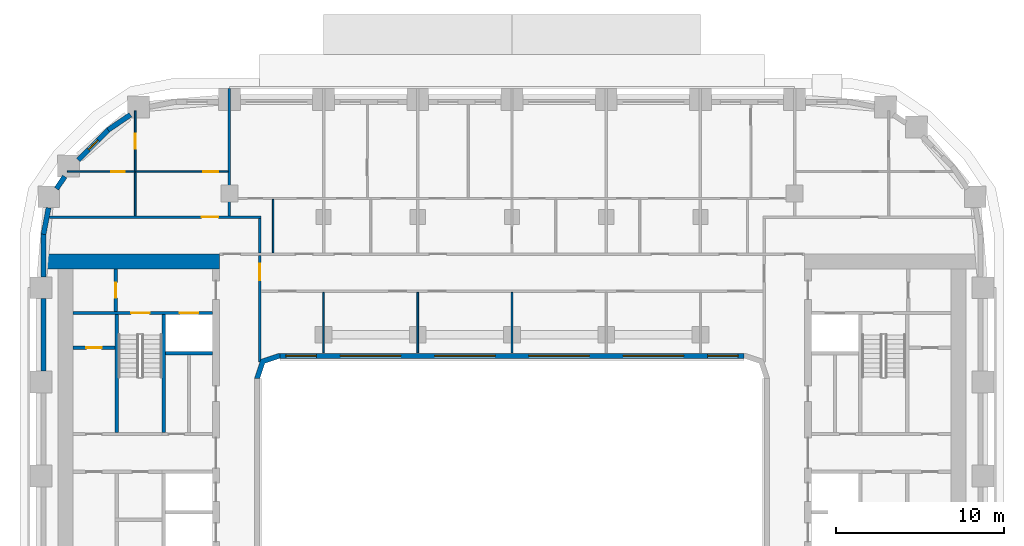
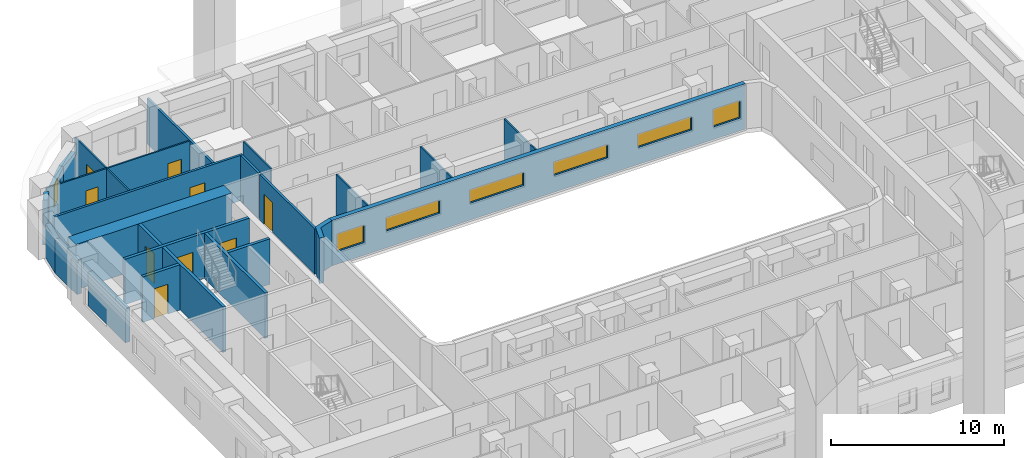
# One storey, part 7 of 19: 26 walls, 9 doors, 7 windows, 16 openings.
"""IFC4 building model written with IfcOpenShell, lengths in metres."""

from ifc_helpers import new_model, si_unit, direction, frame, frame_2d, origin, place, context, subcontext, project, spatial, polyline, rectangle, outline, extrude, material, layer, layer_set, type_object, element, fill, save


model = new_model("IFC4")

# Units and contexts
model_context = context("Model", 3, precision=1e-05, world=origin(), true_north=direction((0.0, 1.0)))
body_context = subcontext(model_context, "Body", "Model", "MODEL_VIEW")
ifc_project = project(units=[si_unit("LENGTHUNIT", "METRE"), si_unit("AREAUNIT", "SQUARE_METRE"), si_unit("VOLUMEUNIT", "CUBIC_METRE"), si_unit("PLANEANGLEUNIT", "RADIAN"), si_unit("MASSUNIT", "GRAM", prefix="KILO")], contexts=[model_context])

# Site, building, storey
site_placement = place(None, origin())
site = spatial("IfcSite", under=ifc_project, at=site_placement, CompositionType="ELEMENT")
building_placement = place(site_placement, origin())
building = spatial("IfcBuilding", under=site, at=building_placement, Name="Kiln Ring Residences", CompositionType="ELEMENT")
storey_placement = place(building_placement, frame((0.0, 0.0, 104.300048828125)))
storey = spatial("IfcBuildingStorey", under=building, at=storey_placement, Name="L26", CompositionType="ELEMENT", Elevation=104.300048828125)

# Wall, opening, door
ifc_material_1 = material(Name="Gypsum board on steel studs", Category="steel")
ifc_layer_1 = layer(ifc_material_1, 0.199951171875)
ifc_layer_set_1 = layer_set([ifc_layer_1], Name="CORE-PARTITION-200")
wall_type_1 = type_object("IfcWallType", Name="CORE-PARTITION-200", PredefinedType="PARTITIONING", material=ifc_layer_set_1)
wall_1_placement = place(storey_placement, frame((-23.550048828125, 9.800048828125, 0.0), z_axis=(0.0, 0.0, 1.0), x_axis=(0.0, 1.0, 0.0)))
wall_1 = element("IfcWall", 1, at=wall_1_placement, inside=storey, type_object=wall_type_1, Name="Core partition west L26 4", PredefinedType="PARTITIONING", context=body_context, shape_type="SweptSolid", body=[
    extrude(rectangle(XDim=2.5, YDim=0.199951171875, at=frame_2d((1.25, 0.0))), origin(), (0.0, 0.0, 1.0), 3.199951171875),
])
opening_1_placement = place(wall_1_placement, frame((0.800048828125, 0.0, 0.0)))
opening_1 = element("IfcOpeningElement", 2, at=opening_1_placement, cuts=wall_1, Name="Opening L26-CW10", PredefinedType="OPENING", context=body_context, shape_type="SweptSolid", body=[
    extrude(rectangle(XDim=0.89990234375, YDim=2.10009765625, at=frame_2d((0.449951171875, 1.050048828125))), frame((0.0, 0.10986328125, 0.0), z_axis=(0.0, -1.0, 0.0), x_axis=(1.0, 0.0, 0.0)), (0.0, 0.0, 1.0), 0.219970703125),
])
ifc_material_2 = material(Name="Steel door leaf", Category="steel")
door_type_1 = type_object("IfcDoorType", Name="CORE-DOOR-ROOM", OperationType="SINGLE_SWING_LEFT", PredefinedType="DOOR", material=ifc_material_2)
door_1_placement = place(opening_1_placement, origin())
door_1 = element("IfcDoor", 3, at=door_1_placement, inside=storey, type_object=door_type_1, Name="Fire riser room L26-CW10", OperationType="SINGLE_SWING_RIGHT", OverallHeight=2.10009765625, OverallWidth=0.89990234375, PredefinedType="DOOR", context=body_context, shape_type="SweptSolid", body=[
    extrude(rectangle(XDim=0.89990234375, YDim=2.10009765625, at=frame_2d((0.449951171875, 1.050048828125))), frame((0.0, 0.02490234375, 0.0), z_axis=(0.0, -1.0, 0.0), x_axis=(1.0, 0.0, 0.0)), (0.0, 0.0, 1.0), 0.050048828125),
])
fill(opening_1, door_1)

wall_2_placement = place(storey_placement, frame((-23.60009765625, 7.639892578125, 0.0), z_axis=(0.0, 0.0, 1.0), x_axis=(-1.0, 0.0, 0.0)))
wall_2 = element("IfcWall", 4, at=wall_2_placement, inside=storey, type_object=wall_type_1, Name="Core partition west L26 6", PredefinedType="PARTITIONING", context=body_context, shape_type="SweptSolid", body=[
    extrude(rectangle(XDim=2.5, YDim=0.199951171875, at=frame_2d((1.25, 0.0))), origin(), (0.0, 0.0, 1.0), 3.199951171875),
])
opening_2_placement = place(wall_2_placement, frame((0.800048828125, 0.0, 0.0)))
opening_2 = element("IfcOpeningElement", 5, at=opening_2_placement, cuts=wall_2, Name="Opening L26-CW17", PredefinedType="OPENING", context=body_context, shape_type="SweptSolid", body=[
    extrude(rectangle(XDim=0.89990234375, YDim=2.10009765625, at=frame_2d((0.449951171875, 1.050048828125))), frame((0.0, 0.10986328125, 0.0), z_axis=(0.0, -1.0, 0.0), x_axis=(1.0, 0.0, 0.0)), (0.0, 0.0, 1.0), 0.219970703125),
])
door_2_placement = place(opening_2_placement, origin())
door_2 = element("IfcDoor", 6, at=door_2_placement, inside=storey, type_object=door_type_1, Name="UPS room L26-CW17", OperationType="SINGLE_SWING_RIGHT", OverallHeight=2.10009765625, OverallWidth=0.89990234375, PredefinedType="DOOR", context=body_context, shape_type="SweptSolid", body=[
    extrude(rectangle(XDim=0.89990234375, YDim=2.10009765625, at=frame_2d((0.449951171875, 1.050048828125))), frame((0.0, 0.02490234375, 0.0), z_axis=(0.0, -1.0, 0.0), x_axis=(1.0, 0.0, 0.0)), (0.0, 0.0, 1.0), 0.050048828125),
])
fill(opening_2, door_2)

# Walls
ifc_material_3 = material(Name="Gypsum shaft wall system")
ifc_layer_2 = layer(ifc_material_3, 0.199951171875)
ifc_layer_set_2 = layer_set([ifc_layer_2], Name="CORE-SHAFT-WALL-200")
wall_type_2 = type_object("IfcWallType", Name="CORE-SHAFT-WALL-200", PredefinedType="PARTITIONING", material=ifc_layer_set_2)
wall_3_placement = place(storey_placement, frame((-17.800048828125, 7.300048828125, 0.0), z_axis=(0.0, 0.0, 1.0), x_axis=(-1.0, 0.0, 0.0)))
element("IfcWall", 7, at=wall_3_placement, inside=storey, type_object=wall_type_2, Name="Core partition west L26 12", PredefinedType="PARTITIONING", context=body_context, shape_type="SweptSolid", body=[
    extrude(rectangle(XDim=2.800048828125, YDim=0.199951171875, at=frame_2d((1.39990234375, 0.0))), origin(), (0.0, 0.0, 1.0), 3.199951171875),
])
ifc_material_4 = material(Name="Concrete C40/50", Category="concrete")
ifc_layer_3 = layer(ifc_material_4, 0.199951171875)
ifc_layer_set_3 = layer_set([ifc_layer_3], Name="CORE-WALL-RC200")
wall_type_3 = type_object("IfcWallType", Name="CORE-WALL-RC200", PredefinedType="SHEAR", material=ifc_layer_set_3)
wall_4_placement = place(storey_placement, frame((-20.699951171875, 2.60009765625, 0.0), z_axis=(0.0, 0.0, 1.0), x_axis=(0.0, 1.0, 0.0)))
element("IfcWall", 8, at=wall_4_placement, inside=storey, type_object=wall_type_3, Name="Core wall west L26 1", PredefinedType="SHEAR", context=body_context, shape_type="SweptSolid", body=[
    extrude(rectangle(XDim=7.0, YDim=0.199951171875, at=frame_2d((3.5, 0.0))), origin(), (0.0, 0.0, 1.0), 3.199951171875),
])

# Wall, openings, doors
wall_5_placement = place(storey_placement, frame((-17.800048828125, 9.699951171875, 0.0), z_axis=(0.0, 0.0, 1.0), x_axis=(-1.0, 0.0, 0.0)))
wall_5 = element("IfcWall", 9, at=wall_5_placement, inside=storey, type_object=wall_type_3, Name="Core wall west L26 9", PredefinedType="SHEAR", context=body_context, shape_type="SweptSolid", body=[
    extrude(rectangle(XDim=8.300048828125, YDim=0.199951171875, at=frame_2d((4.14990234375, 0.0))), origin(), (0.0, 0.0, 1.0), 3.199951171875),
])
opening_3_placement = place(wall_5_placement, frame((0.85009765625, 0.0, 0.0)))
opening_3 = element("IfcOpeningElement", 10, at=opening_3_placement, cuts=wall_5, Name="Opening L26-CW07", PredefinedType="OPENING", context=body_context, shape_type="SweptSolid", body=[
    extrude(rectangle(XDim=1.10009765625, YDim=2.10009765625, at=frame_2d((0.550048828125, 1.050048828125))), frame((0.0, 0.10986328125, 0.0), z_axis=(0.0, -1.0, 0.0), x_axis=(1.0, 0.0, 0.0)), (0.0, 0.0, 1.0), 0.219970703125),
])
opening_4_placement = place(wall_5_placement, frame((3.75, 0.0, 0.0)))
opening_4 = element("IfcOpeningElement", 11, at=opening_4_placement, cuts=wall_5, Name="Opening L26-CW12", PredefinedType="OPENING", context=body_context, shape_type="SweptSolid", body=[
    extrude(rectangle(XDim=1.10009765625, YDim=2.10009765625, at=frame_2d((0.550048828125, 1.050048828125))), frame((0.0, 0.10986328125, 0.0), z_axis=(0.0, -1.0, 0.0), x_axis=(1.0, 0.0, 0.0)), (0.0, 0.0, 1.0), 0.219970703125),
])
ifc_material_5 = material(Name="Steel door leaf", Category="steel")
door_type_2 = type_object("IfcDoorType", Name="CORE-DOOR-LD", OperationType="DOUBLE_DOOR_SLIDING", PredefinedType="DOOR", material=ifc_material_5)
door_3_placement = place(opening_3_placement, origin())
door_3 = element("IfcDoor", 12, at=door_3_placement, inside=storey, type_object=door_type_2, Name="LD W-FF L26-CW07", OperationType="DOUBLE_DOOR_SLIDING", OverallHeight=2.10009765625, OverallWidth=1.10009765625, PredefinedType="DOOR", context=body_context, shape_type="SweptSolid", body=[
    extrude(rectangle(XDim=1.10009765625, YDim=2.10009765625, at=frame_2d((0.550048828125, 1.050048828125))), frame((0.0, 0.02490234375, 0.0), z_axis=(0.0, -1.0, 0.0), x_axis=(1.0, 0.0, 0.0)), (0.0, 0.0, 1.0), 0.050048828125),
])
fill(opening_3, door_3)
ifc_material_6 = material(Name="Steel door leaf", Category="steel")
door_type_3 = type_object("IfcDoorType", Name="CORE-DOOR-STAIR", OperationType="SINGLE_SWING_LEFT", PredefinedType="DOOR", material=ifc_material_6)
door_4_placement = place(opening_4_placement, origin())
door_4 = element("IfcDoor", 13, at=door_4_placement, inside=storey, type_object=door_type_3, Name="Stair W-STN L26-CW12", OperationType="SINGLE_SWING_RIGHT", OverallHeight=2.10009765625, OverallWidth=1.10009765625, PredefinedType="DOOR", context=body_context, shape_type="SweptSolid", body=[
    extrude(rectangle(XDim=1.10009765625, YDim=2.10009765625, at=frame_2d((0.550048828125, 1.050048828125))), frame((0.0, 0.02490234375, 0.0), z_axis=(0.0, -1.0, 0.0), x_axis=(1.0, 0.0, 0.0)), (0.0, 0.0, 1.0), 0.050048828125),
])
fill(opening_4, door_4)

# Walls
wall_6_placement = place(storey_placement, frame((-23.5, 2.60009765625, 0.0), z_axis=(0.0, 0.0, 1.0), x_axis=(0.0, 1.0, 0.0)))
element("IfcWall", 14, at=wall_6_placement, inside=storey, type_object=wall_type_3, Name="Core wall west L26 10", PredefinedType="SHEAR", context=body_context, shape_type="SweptSolid", body=[
    extrude(rectangle(XDim=7.0, YDim=0.199951171875, at=frame_2d((3.5, 0.0))), origin(), (0.0, 0.0, 1.0), 3.199951171875),
])
ifc_material_7 = material(Name="Concrete C60/75", Category="concrete")
ifc_layer_4 = layer(ifc_material_7, 0.89990234375)
ifc_layer_set_4 = layer_set([ifc_layer_4], Name="CORE-WALL-RC900")
wall_type_4 = type_object("IfcWallType", Name="CORE-WALL-RC900", PredefinedType="SHEAR", material=ifc_layer_set_4)
wall_7_placement = place(storey_placement, frame((-17.39990234375, 12.75, 0.0), z_axis=(0.0, 0.0, 1.0), x_axis=(-1.0, 0.0, 0.0)))
element("IfcWall", 15, at=wall_7_placement, inside=storey, type_object=wall_type_4, Name="Core wall west L26 4", PredefinedType="SHEAR", context=body_context, shape_type="SweptSolid", body=[
    extrude(rectangle(XDim=10.400146484375, YDim=0.89990234375, at=frame_2d((5.2001953125, 0.0))), origin(), (0.0, 0.0, 1.0), 3.199951171875),
])
ifc_material_8 = material(Name="Brick masonry, dark clay brick", Category="masonry")
ifc_layer_5 = layer(ifc_material_8, 0.300048828125)
ifc_layer_set_5 = layer_set([ifc_layer_5], Name="EW-300 BRICK WALL")
wall_type_5 = type_object("IfcWallType", Name="EW-300 BRICK WALL", PredefinedType="SOLIDWALL", material=ifc_layer_set_5)
wall_8_placement = place(storey_placement, frame((-22.684326171875, 21.481689453125, 0.0), z_axis=(0.0, 0.0, 1.0), x_axis=(-0.82705935865, -0.562114594429, 0.0)))
element("IfcWall", 16, at=wall_8_placement, inside=storey, type_object=wall_type_5, Name="Facade wall L26 37", PredefinedType="SOLIDWALL", context=body_context, shape_type="SweptSolid", body=[
    extrude(rectangle(XDim=1.606201171875, YDim=0.300048828125, at=frame_2d((0.80322265625, 0.0))), origin(), (0.0, 0.0, 1.0), 2.39990234375),
])

# Wall, opening, window
wall_9_placement = place(storey_placement, frame((-23.990966796875, 20.596923828125, 0.0), z_axis=(0.0, 0.0, 1.0), x_axis=(-0.707106781187, -0.707106781187, 0.0)))
wall_9 = element("IfcWall", 17, at=wall_9_placement, inside=storey, type_object=wall_type_5, Name="Facade wall L26 38", PredefinedType="SOLIDWALL", context=body_context, shape_type="SweptSolid", body=[
    extrude(rectangle(XDim=2.550048828125, YDim=0.300048828125, at=frame_2d((1.27490234375, 0.0))), origin(), (0.0, 0.0, 1.0), 2.39990234375),
])
opening_5_placement = place(wall_9_placement, frame((0.875, 0.0, 0.60009765625)))
opening_5 = element("IfcOpeningElement", 18, at=opening_5_placement, cuts=wall_9, Name="Opening W5", PredefinedType="OPENING", context=body_context, shape_type="SweptSolid", body=[
    extrude(rectangle(XDim=0.800048828125, YDim=1.550048828125, at=frame_2d((0.39990234375, 0.77490234375))), frame((0.0, 0.159912109375, 0.0), z_axis=(0.0, -1.0, 0.0), x_axis=(1.0, 0.0, 0.0)), (0.0, 0.0, 1.0), 0.320068359375),
])
ifc_material_9 = material(Name="Aluminium frame with double glazing", Category="aluminium")
window_type_1 = type_object("IfcWindowType", Name="WINDOW 800 x 1550", PartitioningType="SINGLE_PANEL", PredefinedType="WINDOW", material=ifc_material_9)
window_1_placement = place(opening_5_placement, origin())
window_1 = element("IfcWindow", 19, at=window_1_placement, inside=storey, type_object=window_type_1, Name="Window L26 26", OverallHeight=1.550048828125, OverallWidth=0.800048828125, PartitioningType="SINGLE_PANEL", PredefinedType="WINDOW", context=body_context, shape_type="SweptSolid", body=[
    extrude(rectangle(XDim=0.800048828125, YDim=1.550048828125, at=frame_2d((0.39990234375, 0.77490234375))), frame((0.0, 0.030029296875, 0.0), z_axis=(0.0, -1.0, 0.0), x_axis=(1.0, 0.0, 0.0)), (0.0, 0.0, 1.0), 0.06005859375),
])
fill(opening_5, window_1)

# Walls
wall_10_placement = place(storey_placement, frame((-26.588623046875, 17.809814453125, 0.0), z_axis=(0.0, 0.0, 1.0), x_axis=(-0.562066330934, -0.827092159091, 0.0)))
element("IfcWall", 20, at=wall_10_placement, inside=storey, type_object=wall_type_5, Name="Facade wall L26 39", PredefinedType="SOLIDWALL", context=body_context, shape_type="SweptSolid", body=[
    extrude(rectangle(XDim=0.876953125, YDim=0.300048828125, at=frame_2d((0.4384765625, 0.0))), origin(), (0.0, 0.0, 1.0), 3.199951171875),
])
wall_11_placement = place(storey_placement, frame((-27.5517578125, 15.949462890625, 0.0), z_axis=(0.0, 0.0, 1.0), x_axis=(-0.187279751651, -0.982306619453, 0.0)))
element("IfcWall", 21, at=wall_11_placement, inside=storey, type_object=wall_type_5, Name="Facade wall L26 40", PredefinedType="SOLIDWALL", context=body_context, shape_type="SweptSolid", body=[
    extrude(rectangle(XDim=1.60595703125, YDim=0.300048828125, at=frame_2d((0.802978515625, 0.0))), origin(), (0.0, 0.0, 1.0), 2.39990234375),
])
wall_12_placement = place(storey_placement, frame((-27.85009765625, 14.39990234375, 0.0), z_axis=(0.0, 0.0, 1.0), x_axis=(0.0, -1.0, 0.0)))
element("IfcWall", 22, at=wall_12_placement, inside=storey, type_object=wall_type_5, Name="Facade wall L26 41", PredefinedType="SOLIDWALL", context=body_context, shape_type="SweptSolid", body=[
    extrude(rectangle(XDim=2.5498046875, YDim=0.300048828125, at=frame_2d((1.27490234375, 0.0))), origin(), (0.0, 0.0, 1.0), 2.39990234375),
])
wall_13_placement = place(storey_placement, frame((-27.85009765625, 10.550048828125, 0.0), z_axis=(0.0, 0.0, 1.0), x_axis=(0.0, -1.0, 0.0)))
element("IfcWall", 23, at=wall_13_placement, inside=storey, type_object=wall_type_5, Name="Facade wall L26 42", PredefinedType="SOLIDWALL", context=body_context, shape_type="SweptSolid", body=[
    extrude(rectangle(XDim=4.300048828125, YDim=0.300048828125, at=frame_2d((2.14990234375, 0.0))), origin(), (0.0, 0.0, 1.0), 2.39990234375),
])

# Wall, openings, windows
wall_14_placement = place(storey_placement, frame((-13.800048828125, 7.14990234375, 0.0), z_axis=(0.0, 0.0, 1.0), x_axis=(1.0, 0.0, 0.0)))
wall_14 = element("IfcWall", 24, at=wall_14_placement, inside=storey, type_object=wall_type_5, Name="Facade wall L26 50", PredefinedType="SOLIDWALL", context=body_context, shape_type="SweptSolid", body=[
    extrude(rectangle(XDim=27.60009765625, YDim=0.300048828125, at=frame_2d((13.800048828125, 0.0))), origin(), (0.0, 0.0, 1.0), 3.199951171875),
])
opening_6_placement = place(wall_14_placement, frame((0.362548828125, 0.0, 0.89990234375)))
opening_6 = element("IfcOpeningElement", 25, at=opening_6_placement, cuts=wall_14, Name="Opening W2", PredefinedType="OPENING", context=body_context, shape_type="SweptSolid", body=[
    extrude(rectangle(XDim=1.800048828125, YDim=1.25, at=frame_2d((0.89990234375, 0.625))), frame((0.0, 0.159912109375, 0.0), z_axis=(0.0, -1.0, 0.0), x_axis=(1.0, 0.0, 0.0)), (0.0, 0.0, 1.0), 0.320068359375),
])
opening_7_placement = place(wall_14_placement, frame((3.60009765625, 0.0, 1.199951171875)))
opening_7 = element("IfcOpeningElement", 26, at=opening_7_placement, cuts=wall_14, Name="Opening W4", PredefinedType="OPENING", context=body_context, shape_type="SweptSolid", body=[
    extrude(rectangle(XDim=3.60009765625, YDim=0.949951171875, at=frame_2d((1.800048828125, 0.47509765625))), frame((0.0, 0.159912109375, 0.0), z_axis=(0.0, -1.0, 0.0), x_axis=(1.0, 0.0, 0.0)), (0.0, 0.0, 1.0), 0.320068359375),
])
opening_8_placement = place(wall_14_placement, frame((9.199951171875, 0.0, 1.199951171875)))
opening_8 = element("IfcOpeningElement", 27, at=opening_8_placement, cuts=wall_14, Name="Opening W4", PredefinedType="OPENING", context=body_context, shape_type="SweptSolid", body=[
    extrude(rectangle(XDim=3.60009765625, YDim=0.949951171875, at=frame_2d((1.800048828125, 0.47509765625))), frame((0.0, 0.159912109375, 0.0), z_axis=(0.0, -1.0, 0.0), x_axis=(1.0, 0.0, 0.0)), (0.0, 0.0, 1.0), 0.320068359375),
])
opening_9_placement = place(wall_14_placement, frame((14.800048828125, 0.0, 1.199951171875)))
opening_9 = element("IfcOpeningElement", 28, at=opening_9_placement, cuts=wall_14, Name="Opening W4", PredefinedType="OPENING", context=body_context, shape_type="SweptSolid", body=[
    extrude(rectangle(XDim=3.60009765625, YDim=0.949951171875, at=frame_2d((1.800048828125, 0.47509765625))), frame((0.0, 0.159912109375, 0.0), z_axis=(0.0, -1.0, 0.0), x_axis=(1.0, 0.0, 0.0)), (0.0, 0.0, 1.0), 0.320068359375),
])
opening_10_placement = place(wall_14_placement, frame((20.39990234375, 0.0, 1.199951171875)))
opening_10 = element("IfcOpeningElement", 29, at=opening_10_placement, cuts=wall_14, Name="Opening W4", PredefinedType="OPENING", context=body_context, shape_type="SweptSolid", body=[
    extrude(rectangle(XDim=3.60009765625, YDim=0.949951171875, at=frame_2d((1.800048828125, 0.47509765625))), frame((0.0, 0.159912109375, 0.0), z_axis=(0.0, -1.0, 0.0), x_axis=(1.0, 0.0, 0.0)), (0.0, 0.0, 1.0), 0.320068359375),
])
opening_11_placement = place(wall_14_placement, frame((25.4375, 0.0, 0.89990234375)))
opening_11 = element("IfcOpeningElement", 30, at=opening_11_placement, cuts=wall_14, Name="Opening W2", PredefinedType="OPENING", context=body_context, shape_type="SweptSolid", body=[
    extrude(rectangle(XDim=1.800048828125, YDim=1.25, at=frame_2d((0.89990234375, 0.625))), frame((0.0, 0.159912109375, 0.0), z_axis=(0.0, -1.0, 0.0), x_axis=(1.0, 0.0, 0.0)), (0.0, 0.0, 1.0), 0.320068359375),
])
ifc_material_10 = material(Name="Aluminium frame with double glazing", Category="aluminium")
window_type_2 = type_object("IfcWindowType", Name="WINDOW 1800 x 1250", PartitioningType="SINGLE_PANEL", PredefinedType="WINDOW", material=ifc_material_10)
window_2_placement = place(opening_6_placement, origin())
window_2 = element("IfcWindow", 31, at=window_2_placement, inside=storey, type_object=window_type_2, Name="Window L26 27", OverallHeight=1.25, OverallWidth=1.800048828125, PartitioningType="SINGLE_PANEL", PredefinedType="WINDOW", context=body_context, shape_type="SweptSolid", body=[
    extrude(rectangle(XDim=1.800048828125, YDim=1.25, at=frame_2d((0.89990234375, 0.625))), frame((0.0, 0.030029296875, 0.0), z_axis=(0.0, -1.0, 0.0), x_axis=(1.0, 0.0, 0.0)), (0.0, 0.0, 1.0), 0.06005859375),
])
fill(opening_6, window_2)
window_3_placement = place(opening_11_placement, origin())
window_3 = element("IfcWindow", 32, at=window_3_placement, inside=storey, type_object=window_type_2, Name="Window L26 32", OverallHeight=1.25, OverallWidth=1.800048828125, PartitioningType="SINGLE_PANEL", PredefinedType="WINDOW", context=body_context, shape_type="SweptSolid", body=[
    extrude(rectangle(XDim=1.800048828125, YDim=1.25, at=frame_2d((0.89990234375, 0.625))), frame((0.0, 0.030029296875, 0.0), z_axis=(0.0, -1.0, 0.0), x_axis=(1.0, 0.0, 0.0)), (0.0, 0.0, 1.0), 0.06005859375),
])
fill(opening_11, window_3)
ifc_material_11 = material(Name="Aluminium frame with double glazing", Category="aluminium")
window_type_3 = type_object("IfcWindowType", Name="WINDOW 3600 x 950", PartitioningType="SINGLE_PANEL", PredefinedType="WINDOW", material=ifc_material_11)
window_4_placement = place(opening_7_placement, origin())
window_4 = element("IfcWindow", 33, at=window_4_placement, inside=storey, type_object=window_type_3, Name="Window L26 28", OverallHeight=0.949951171875, OverallWidth=3.60009765625, PartitioningType="SINGLE_PANEL", PredefinedType="WINDOW", context=body_context, shape_type="SweptSolid", body=[
    extrude(rectangle(XDim=3.60009765625, YDim=0.949951171875, at=frame_2d((1.800048828125, 0.47509765625))), frame((0.0, 0.030029296875, 0.0), z_axis=(0.0, -1.0, 0.0), x_axis=(1.0, 0.0, 0.0)), (0.0, 0.0, 1.0), 0.06005859375),
])
fill(opening_7, window_4)
window_5_placement = place(opening_8_placement, origin())
window_5 = element("IfcWindow", 34, at=window_5_placement, inside=storey, type_object=window_type_3, Name="Window L26 29", OverallHeight=0.949951171875, OverallWidth=3.60009765625, PartitioningType="SINGLE_PANEL", PredefinedType="WINDOW", context=body_context, shape_type="SweptSolid", body=[
    extrude(rectangle(XDim=3.60009765625, YDim=0.949951171875, at=frame_2d((1.800048828125, 0.47509765625))), frame((0.0, 0.030029296875, 0.0), z_axis=(0.0, -1.0, 0.0), x_axis=(1.0, 0.0, 0.0)), (0.0, 0.0, 1.0), 0.06005859375),
])
fill(opening_8, window_5)
window_6_placement = place(opening_9_placement, origin())
window_6 = element("IfcWindow", 35, at=window_6_placement, inside=storey, type_object=window_type_3, Name="Window L26 30", OverallHeight=0.949951171875, OverallWidth=3.60009765625, PartitioningType="SINGLE_PANEL", PredefinedType="WINDOW", context=body_context, shape_type="SweptSolid", body=[
    extrude(rectangle(XDim=3.60009765625, YDim=0.949951171875, at=frame_2d((1.800048828125, 0.47509765625))), frame((0.0, 0.030029296875, 0.0), z_axis=(0.0, -1.0, 0.0), x_axis=(1.0, 0.0, 0.0)), (0.0, 0.0, 1.0), 0.06005859375),
])
fill(opening_9, window_6)
window_7_placement = place(opening_10_placement, origin())
window_7 = element("IfcWindow", 36, at=window_7_placement, inside=storey, type_object=window_type_3, Name="Window L26 31", OverallHeight=0.949951171875, OverallWidth=3.60009765625, PartitioningType="SINGLE_PANEL", PredefinedType="WINDOW", context=body_context, shape_type="SweptSolid", body=[
    extrude(rectangle(XDim=3.60009765625, YDim=0.949951171875, at=frame_2d((1.800048828125, 0.47509765625))), frame((0.0, 0.030029296875, 0.0), z_axis=(0.0, -1.0, 0.0), x_axis=(1.0, 0.0, 0.0)), (0.0, 0.0, 1.0), 0.06005859375),
])
fill(opening_10, window_7)

# Wall
wall_15_placement = place(storey_placement, origin())
element("IfcWall", 37, at=wall_15_placement, inside=storey, type_object=wall_type_5, Name="Corner wall L26 1", PredefinedType="SOLIDWALL", context=body_context, shape_type="SweptSolid", body=[
    extrude(outline(polyline([(-13.8486328125, 7.300048828125), (-14.937255859375, 6.937255859375), (-15.300048828125, 5.8486328125), (-15.300048828125, 5.800048828125), (-15.0, 5.800048828125), (-14.699951171875, 6.699951171875), (-13.800048828125, 7.0), (-13.800048828125, 7.300048828125), (-13.8486328125, 7.300048828125)])), origin(), (0.0, 0.0, 1.0), 3.199951171875),
])

# Wall, openings, doors
ifc_material_12 = material(Name="Gypsum board on steel studs", Category="steel")
ifc_layer_6 = layer(ifc_material_12, 0.10009765625)
ifc_layer_set_6 = layer_set([ifc_layer_6], Name="PARTITION-100")
wall_type_6 = type_object("IfcWallType", Name="PARTITION-100", PredefinedType="PARTITIONING", material=ifc_layer_set_6)
wall_16_placement = place(storey_placement, frame((-26.43994140625, 18.10009765625, 0.0), z_axis=(0.0, 0.0, 1.0), x_axis=(1.0, 0.0, 0.0)))
wall_16 = element("IfcWall", 38, at=wall_16_placement, inside=storey, type_object=wall_type_6, Name="Partition 012", PredefinedType="PARTITIONING", context=body_context, shape_type="SweptSolid", body=[
    extrude(rectangle(XDim=9.56494140625, YDim=0.10009765625, at=frame_2d((4.782470703125, 0.0))), origin(), (0.0, 0.0, 1.0), 3.199951171875),
])
opening_12_placement = place(wall_16_placement, frame((2.6259765625, 0.0, 0.0)))
opening_12 = element("IfcOpeningElement", 39, at=opening_12_placement, cuts=wall_16, Name="Opening L26-D040", PredefinedType="OPENING", context=body_context, shape_type="SweptSolid", body=[
    extrude(rectangle(XDim=0.800048828125, YDim=2.10009765625, at=frame_2d((0.39990234375, 1.050048828125))), frame((0.0, 0.06005859375, 0.0), z_axis=(0.0, -1.0, 0.0), x_axis=(1.0, 0.0, 0.0)), (0.0, 0.0, 1.0), 0.1201171875),
])
opening_13_placement = place(wall_16_placement, frame((8.090087890625, 0.0, 0.0)))
opening_13 = element("IfcOpeningElement", 40, at=opening_13_placement, cuts=wall_16, Name="Opening L26-D041", PredefinedType="OPENING", context=body_context, shape_type="SweptSolid", body=[
    extrude(rectangle(XDim=0.89990234375, YDim=2.10009765625, at=frame_2d((0.449951171875, 1.050048828125))), frame((0.0, 0.06005859375, 0.0), z_axis=(0.0, -1.0, 0.0), x_axis=(1.0, 0.0, 0.0)), (0.0, 0.0, 1.0), 0.1201171875),
])
ifc_material_13 = material(Name="Timber door leaf", Category="wood")
door_type_4 = type_object("IfcDoorType", Name="FLAT-DOOR-800-PL", OperationType="SINGLE_SWING_LEFT", PredefinedType="DOOR", material=ifc_material_13)
door_5_placement = place(opening_12_placement, origin())
door_5 = element("IfcDoor", 41, at=door_5_placement, inside=storey, type_object=door_type_4, Name="Door L26-D040", OperationType="SINGLE_SWING_RIGHT", OverallHeight=2.10009765625, OverallWidth=0.800048828125, PredefinedType="DOOR", context=body_context, shape_type="SweptSolid", body=[
    extrude(rectangle(XDim=0.800048828125, YDim=2.10009765625, at=frame_2d((0.39990234375, 1.050048828125))), frame((0.0, 0.02490234375, 0.0), z_axis=(0.0, -1.0, 0.0), x_axis=(1.0, 0.0, 0.0)), (0.0, 0.0, 1.0), 0.050048828125),
])
fill(opening_12, door_5)
ifc_material_14 = material(Name="Timber door leaf", Category="wood")
door_type_5 = type_object("IfcDoorType", Name="FLAT-DOOR-900-PL", OperationType="SINGLE_SWING_LEFT", PredefinedType="DOOR", material=ifc_material_14)
door_6_placement = place(opening_13_placement, origin())
door_6 = element("IfcDoor", 42, at=door_6_placement, inside=storey, type_object=door_type_5, Name="Door L26-D041", OperationType="SINGLE_SWING_LEFT", OverallHeight=2.10009765625, OverallWidth=0.89990234375, PredefinedType="DOOR", context=body_context, shape_type="SweptSolid", body=[
    extrude(rectangle(XDim=0.89990234375, YDim=2.10009765625, at=frame_2d((0.449951171875, 1.050048828125))), frame((0.0, 0.02490234375, 0.0), z_axis=(0.0, -1.0, 0.0), x_axis=(1.0, 0.0, 0.0)), (0.0, 0.0, 1.0), 0.050048828125),
])
fill(opening_13, door_6)

# Wall
wall_17_placement = place(storey_placement, frame((-22.39990234375, 15.47509765625, 0.0), z_axis=(0.0, 0.0, 1.0), x_axis=(0.0, 1.0, 0.0)))
element("IfcWall", 43, at=wall_17_placement, inside=storey, type_object=wall_type_6, Name="Partition 016", PredefinedType="PARTITIONING", context=body_context, shape_type="SweptSolid", body=[
    extrude(rectangle(XDim=2.574951171875, YDim=0.10009765625, at=frame_2d((1.28759765625, 0.0))), origin(), (0.0, 0.0, 1.0), 3.199951171875),
])

# Wall, opening, door
wall_18_placement = place(storey_placement, frame((-22.39990234375, 18.14990234375, 0.0), z_axis=(0.0, 0.0, 1.0), x_axis=(0.0, 1.0, 0.0)))
wall_18 = element("IfcWall", 44, at=wall_18_placement, inside=storey, type_object=wall_type_6, Name="Partition 017", PredefinedType="PARTITIONING", context=body_context, shape_type="SweptSolid", body=[
    extrude(rectangle(XDim=3.570068359375, YDim=0.10009765625, at=frame_2d((1.78515625, 0.0))), origin(), (0.0, 0.0, 1.0), 3.199951171875),
])
opening_14_placement = place(wall_18_placement, frame((1.298095703125, 0.0, 0.0)))
opening_14 = element("IfcOpeningElement", 45, at=opening_14_placement, cuts=wall_18, Name="Opening L26-D042", PredefinedType="OPENING", context=body_context, shape_type="SweptSolid", body=[
    extrude(rectangle(XDim=0.89990234375, YDim=2.10009765625, at=frame_2d((0.449951171875, 1.050048828125))), frame((0.0, 0.06005859375, 0.0), z_axis=(0.0, -1.0, 0.0), x_axis=(1.0, 0.0, 0.0)), (0.0, 0.0, 1.0), 0.1201171875),
])
door_7_placement = place(opening_14_placement, origin())
door_7 = element("IfcDoor", 46, at=door_7_placement, inside=storey, type_object=door_type_5, Name="Door L26-D042", OperationType="SINGLE_SWING_RIGHT", OverallHeight=2.10009765625, OverallWidth=0.89990234375, PredefinedType="DOOR", context=body_context, shape_type="SweptSolid", body=[
    extrude(rectangle(XDim=0.89990234375, YDim=2.10009765625, at=frame_2d((0.449951171875, 1.050048828125))), frame((0.0, 0.02490234375, 0.0), z_axis=(0.0, -1.0, 0.0), x_axis=(1.0, 0.0, 0.0)), (0.0, 0.0, 1.0), 0.050048828125),
])
fill(opening_14, door_7)

# Walls
wall_19_placement = place(storey_placement, frame((-14.199951171875, 13.27490234375, 0.0), z_axis=(0.0, 0.0, 1.0), x_axis=(0.0, 1.0, 0.0)))
element("IfcWall", 47, at=wall_19_placement, inside=storey, type_object=wall_type_6, Name="Partition 025", PredefinedType="PARTITIONING", context=body_context, shape_type="SweptSolid", body=[
    extrude(rectangle(XDim=3.175048828125, YDim=0.10009765625, at=frame_2d((1.58740234375, 0.0))), origin(), (0.0, 0.0, 1.0), 3.199951171875),
])
for number, where, z_axis, x_axis, name in (
    (48, (-11.199951171875, 7.320068359375, 0.0), (0.0, 0.0, 1.0), (0.0, 1.0, 0.0), "Partition 028"),
    (49, (-5.60009765625, 7.320068359375, 0.0), (0.0, 0.0, 1.0), (0.0, 1.0, 0.0), "Partition 037"),
    (50, (0.0, 7.320068359375, 0.0), (0.0, 0.0, 1.0), (0.0, 1.0, 0.0), "Partition 047"),
):
    element("IfcWall", number, at=place(storey_placement, frame(where, z_axis=z_axis, x_axis=x_axis)), inside=storey, type_object=wall_type_6, Name=name, PredefinedType="PARTITIONING", context=body_context, shape_type="SweptSolid", body=[
        extrude(rectangle(XDim=3.60498046875, YDim=0.10009765625, at=frame_2d((1.802490234375, 0.0))), origin(), (0.0, 0.0, 1.0), 3.199951171875),
    ])

# Wall, opening, door
ifc_material_15 = material(Name="Brick masonry partition", Category="masonry")
ifc_layer_7 = layer(ifc_material_15, 0.14990234375)
ifc_layer_set_7 = layer_set([ifc_layer_7], Name="PARTITION-150-ei60")
wall_type_7 = type_object("IfcWallType", Name="PARTITION-150-ei60", PredefinedType="PARTITIONING", material=ifc_layer_set_7)
wall_20_placement = place(storey_placement, frame((-27.48388671875, 15.39990234375, 0.0), z_axis=(0.0, 0.0, 1.0), x_axis=(1.0, 0.0, 0.0)))
wall_20 = element("IfcWall", 51, at=wall_20_placement, inside=storey, type_object=wall_type_7, Name="Partition 009", PredefinedType="PARTITIONING", context=body_context, shape_type="SweptSolid", body=[
    extrude(rectangle(XDim=12.558837890625, YDim=0.14990234375, at=frame_2d((6.279296875, 0.0))), origin(), (0.0, 0.0, 1.0), 3.199951171875),
])
opening_15_placement = place(wall_20_placement, frame((9.03369140625, 0.0, 0.0)))
opening_15 = element("IfcOpeningElement", 52, at=opening_15_placement, cuts=wall_20, Name="Opening L26-D039", PredefinedType="OPENING", context=body_context, shape_type="SweptSolid", body=[
    extrude(rectangle(XDim=1.0, YDim=2.10009765625, at=frame_2d((0.5, 1.050048828125))), frame((0.0, 0.0849609375, 0.0), z_axis=(0.0, -1.0, 0.0), x_axis=(1.0, 0.0, 0.0)), (0.0, 0.0, 1.0), 0.169921875),
])
ifc_material_16 = material(Name="Steel faced fire door leaf", Category="steel")
door_type_6 = type_object("IfcDoorType", Name="FLAT-DOOR-1000-FR", OperationType="SINGLE_SWING_LEFT", PredefinedType="DOOR", material=ifc_material_16)
door_8_placement = place(opening_15_placement, origin())
door_8 = element("IfcDoor", 53, at=door_8_placement, inside=storey, type_object=door_type_6, Name="Door L26-D039", OperationType="SINGLE_SWING_LEFT", OverallHeight=2.10009765625, OverallWidth=1.0, PredefinedType="DOOR", context=body_context, shape_type="SweptSolid", body=[
    extrude(rectangle(XDim=1.0, YDim=2.10009765625, at=frame_2d((0.5, 1.050048828125))), frame((0.0, 0.02490234375, 0.0), z_axis=(0.0, -1.0, 0.0), x_axis=(1.0, 0.0, 0.0)), (0.0, 0.0, 1.0), 0.050048828125),
])
fill(opening_15, door_8)

# Wall
wall_21_placement = place(storey_placement, frame((-16.800048828125, 15.47509765625, 0.0), z_axis=(0.0, 0.0, 1.0), x_axis=(0.0, 1.0, 0.0)))
element("IfcWall", 54, at=wall_21_placement, inside=storey, type_object=wall_type_7, Name="Partition 019", PredefinedType="PARTITIONING", context=body_context, shape_type="SweptSolid", body=[
    extrude(rectangle(XDim=7.554931640625, YDim=0.14990234375, at=frame_2d((3.77734375, 0.0))), origin(), (0.0, 0.0, 1.0), 3.199951171875),
])

# Wall, opening, door
wall_22_placement = place(storey_placement, frame((-15.0, 6.768798828125, 0.0), z_axis=(0.0, 0.0, 1.0), x_axis=(0.0, 1.0, 0.0)))
wall_22 = element("IfcWall", 55, at=wall_22_placement, inside=storey, type_object=wall_type_7, Name="Partition 022", PredefinedType="PARTITIONING", context=body_context, shape_type="SweptSolid", body=[
    extrude(rectangle(XDim=6.356201171875, YDim=0.14990234375, at=frame_2d((3.17822265625, 0.0))), origin(), (0.0, 0.0, 1.0), 3.199951171875),
])
opening_16_placement = place(wall_22_placement, frame((4.860107421875, 0.0, 0.0)))
opening_16 = element("IfcOpeningElement", 56, at=opening_16_placement, cuts=wall_22, Name="Opening L26-D001", PredefinedType="OPENING", context=body_context, shape_type="SweptSolid", body=[
    extrude(rectangle(XDim=1.0, YDim=2.10009765625, at=frame_2d((0.5, 1.050048828125))), frame((0.0, 0.0849609375, 0.0), z_axis=(0.0, -1.0, 0.0), x_axis=(1.0, 0.0, 0.0)), (0.0, 0.0, 1.0), 0.169921875),
])
door_9_placement = place(opening_16_placement, origin())
door_9 = element("IfcDoor", 57, at=door_9_placement, inside=storey, type_object=door_type_6, Name="Door L26-D001", OperationType="SINGLE_SWING_RIGHT", OverallHeight=2.10009765625, OverallWidth=1.0, PredefinedType="DOOR", context=body_context, shape_type="SweptSolid", body=[
    extrude(rectangle(XDim=1.0, YDim=2.10009765625, at=frame_2d((0.5, 1.050048828125))), frame((0.0, 0.02490234375, 0.0), z_axis=(0.0, -1.0, 0.0), x_axis=(1.0, 0.0, 0.0)), (0.0, 0.0, 1.0), 0.050048828125),
])
fill(opening_16, door_9)

# Wall
wall_23_placement = place(storey_placement, frame((-15.0, 13.27490234375, 0.0), z_axis=(0.0, 0.0, 1.0), x_axis=(0.0, 1.0, 0.0)))
element("IfcWall", 58, at=wall_23_placement, inside=storey, type_object=wall_type_7, Name="Partition 023", PredefinedType="PARTITIONING", context=body_context, shape_type="SweptSolid", body=[
    extrude(rectangle(XDim=2.050048828125, YDim=0.14990234375, at=frame_2d((1.02490234375, 0.0))), origin(), (0.0, 0.0, 1.0), 3.199951171875),
])

save(model, "model.ifc")
